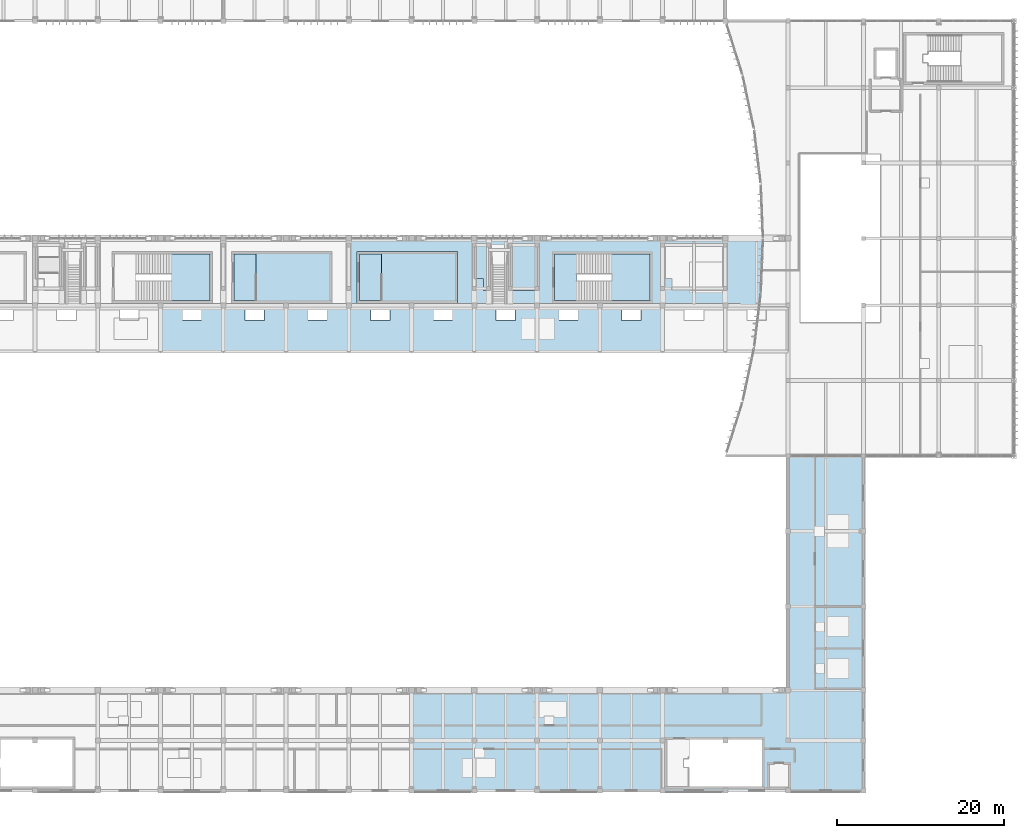
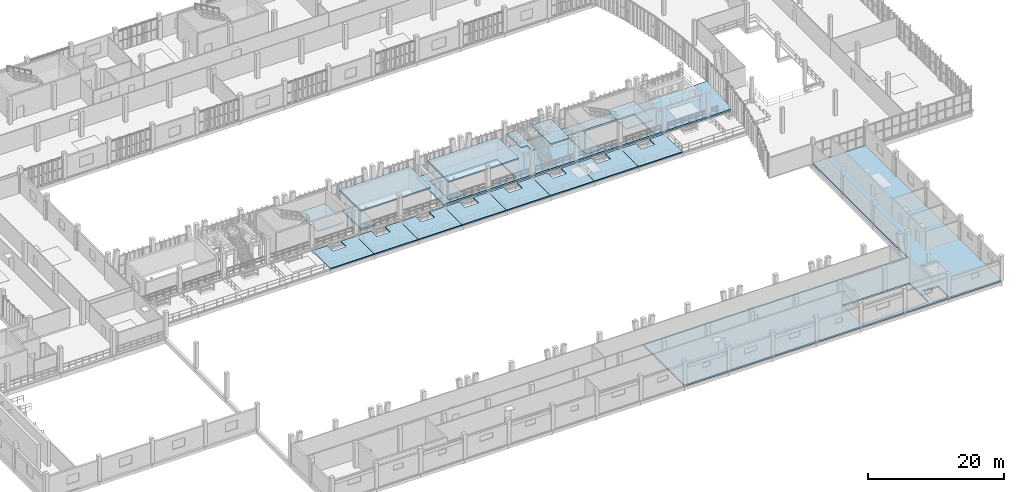
# One storey, part 40 of 81: 19 slabs, 2 elements without a shape of their own.
"""IFC4 building model written with IfcOpenShell, lengths in metres."""

from ifc_helpers import new_model, si_unit, direction, frame, origin, place, context, subcontext, project, spatial, polyline, outline, extrude, material, layer, layer_set, type_object, element, aggregate, save


model = new_model("IFC4")

# Units and contexts
model_context = context("Model", 3, precision=1e-05, world=origin(), true_north=direction((0.0, 1.0)))
body_context = subcontext(model_context, "Body", "Model", "MODEL_VIEW")
ifc_project = project(units=[si_unit("LENGTHUNIT", "METRE"), si_unit("AREAUNIT", "SQUARE_METRE"), si_unit("VOLUMEUNIT", "CUBIC_METRE"), si_unit("PLANEANGLEUNIT", "RADIAN"), si_unit("MASSUNIT", "GRAM", prefix="KILO")], contexts=[model_context])

# Site, building, storey
site_placement = place(None, origin())
site = spatial("IfcSite", under=ifc_project, at=site_placement, CompositionType="ELEMENT")
building_placement = place(site_placement, origin())
building = spatial("IfcBuilding", under=site, at=building_placement, Name="Vourika Railside Aquatics Centre", CompositionType="ELEMENT")
storey_placement = place(building_placement, frame((0.0, 0.0, 4.800048828125)))
storey = spatial("IfcBuildingStorey", under=building, at=storey_placement, Name="L01", CompositionType="ELEMENT", Elevation=4.800048828125)

# Slabs
ifc_material = material(Name="Concrete C35/45", Category="concrete")
ifc_layer_1 = layer(ifc_material, 0.219970703125, Name="SLB-CORE-220")
ifc_layer_set_1 = layer_set([ifc_layer_1], Name="Concrete C35/45")
slab_type_1 = type_object("IfcSlabType", Name="SLB-CORE-220", PredefinedType="FLOOR", material=ifc_layer_set_1)
slab_1_placement = place(storey_placement, frame((0.0, 0.0, -0.219970703125)))
element("IfcSlab", 1, at=slab_1_placement, inside=storey, type_object=slab_type_1, Name="Grandstand Vomitory Exit Stair ST09 L01 Vomitory Arrival Deck", PredefinedType="FLOOR", context=body_context, shape_type="SweptSolid", body=[
    extrude(outline(polyline([(89.800048828125, 58.550048828125), (92.3798828125, 58.550048828125), (92.3798828125, 64.14990234375), (89.800048828125, 64.14990234375), (89.800048828125, 58.550048828125)])), origin(), (0.0, 0.0, 1.0), 0.219970703125),
])
slab_2_placement = place(storey_placement, frame((0.0, 0.0, -0.219970703125)))
element("IfcSlab", 2, at=slab_2_placement, inside=storey, type_object=slab_type_1, Name="Grandstand Vomitory Exit Stair ST10 L01 Vomitory Arrival Deck", PredefinedType="FLOOR", context=body_context, shape_type="SweptSolid", body=[
    extrude(outline(polyline([(113.10009765625, 58.550048828125), (115.679931640625, 58.550048828125), (115.679931640625, 64.14990234375), (113.10009765625, 64.14990234375), (113.10009765625, 58.550048828125)])), origin(), (0.0, 0.0, 1.0), 0.219970703125),
])
slab_3_placement = place(storey_placement, frame((0.0, 0.0, -0.219970703125)))
element("IfcSlab", 3, at=slab_3_placement, inside=storey, type_object=slab_type_1, Name="Grandstand Vomitory Exit Stair ST12 L01 Vomitory Arrival Deck", PredefinedType="FLOOR", context=body_context, shape_type="SweptSolid", body=[
    extrude(outline(polyline([(74.800048828125, 58.550048828125), (77.3798828125, 58.550048828125), (77.3798828125, 64.14990234375), (74.800048828125, 64.14990234375), (74.800048828125, 58.550048828125)])), origin(), (0.0, 0.0, 1.0), 0.219970703125),
])
ifc_layer_2 = layer(ifc_material, 0.280029296875, Name="SLB-FLOOR-280")
ifc_layer_set_2 = layer_set([ifc_layer_2], Name="Concrete C35/45")
slab_type_2 = type_object("IfcSlabType", Name="SLB-FLOOR-280", PredefinedType="FLOOR", material=ifc_layer_set_2)
slab_4_placement = place(storey_placement, frame((0.0, 0.0, -0.280029296875)))
element("IfcSlab", 4, at=slab_4_placement, inside=storey, type_object=slab_type_2, Name="L01 Floor Slab (v4_grp_e)", PredefinedType="FLOOR", context=body_context, shape_type="SweptSolid", body=[
    extrude(outline(polyline([(96.0, 0.0), (96.0, 12.0), (141.0, 12.0), (141.0, 40.0), (150.0, 40.0), (150.0, 12.0), (150.0, 0.0), (96.0, 0.0)]), holes=[polyline([(141.199951171875, 3.300048828125), (138.60009765625, 3.300048828125), (138.60009765625, 0.300048828125), (141.199951171875, 0.300048828125), (141.199951171875, 3.300048828125)]), polyline([(137.89990234375, 6.10009765625), (126.5, 6.10009765625), (126.5, 0.5), (137.89990234375, 0.5), (137.89990234375, 6.10009765625)])]), origin(), (0.0, 0.0, 1.0), 0.280029296875),
])
ifc_layer_3 = layer(ifc_material, 0.300048828125, Name="SLB-FLOOR-300")
ifc_layer_set_3 = layer_set([ifc_layer_3], Name="Concrete C35/45")
slab_type_3 = type_object("IfcSlabType", Name="SLB-FLOOR-300", PredefinedType="FLOOR", material=ifc_layer_set_3)
slab_5_placement = place(storey_placement, frame((0.0, 0.0, -0.300048828125)))
element("IfcSlab", 5, at=slab_5_placement, inside=storey, type_object=slab_type_3, Name="L01 Floor Slab (v1_conc_e)", PredefinedType="FLOOR", context=body_context, shape_type="SweptSolid", body=[
    extrude(outline(polyline([(88.5, 66.0), (137.989990234375, 66.0), (137.925048828125, 62.75048828125), (137.72998046875, 59.500732421875), (137.578125, 58.0), (88.5, 58.0), (88.5, 66.0)]), holes=[polyline([(101.199951171875, 64.14990234375), (89.800048828125, 64.14990234375), (89.800048828125, 58.550048828125), (101.199951171875, 58.550048828125), (101.199951171875, 64.14990234375)]), polyline([(124.5, 64.14990234375), (113.10009765625, 64.14990234375), (113.10009765625, 58.550048828125), (124.5, 58.550048828125), (124.5, 64.14990234375)])]), origin(), (0.0, 0.0, 1.0), 0.300048828125),
])

# Stair, slab
stair_type = type_object("IfcStairType", Name="STR-VOM-L01", PredefinedType="TWO_STRAIGHT_RUN_STAIR", material=ifc_material)
stair_1_placement = place(storey_placement, origin())
stair_1 = element("IfcStair", 6, at=stair_1_placement, inside=storey, type_object=stair_type, Name="Grandstand Vomitory Exit Stair ST08 (L01-L02)", PredefinedType="TWO_STRAIGHT_RUN_STAIR")
ifc_layer_4 = layer(ifc_material, 0.199951171875, Name="SLB-LND-200")
ifc_layer_set_4 = layer_set([ifc_layer_4], Name="Concrete C35/45")
slab_type_4 = type_object("IfcSlabType", Name="SLB-LND-200", PredefinedType="LANDING", material=ifc_layer_set_4)
slab_6_placement = place(storey_placement, frame((0.0, 0.0, 2.050048828125)))
slab_6 = element("IfcSlab", 7, at=slab_6_placement, type_object=slab_type_4, Name="STV-3 landing 1", PredefinedType="LANDING", context=body_context, shape_type="SweptSolid", body=[
    extrude(outline(polyline([(67.320068359375, 58.550048828125), (71.89990234375, 58.550048828125), (71.89990234375, 64.14990234375), (67.320068359375, 64.14990234375), (67.320068359375, 58.550048828125)])), origin(), (0.0, 0.0, 1.0), 0.199951171875),
])
aggregate(stair_1, [slab_6])

stair_2_placement = place(storey_placement, origin())
stair_2 = element("IfcStair", 8, at=stair_2_placement, inside=storey, type_object=stair_type, Name="Grandstand Vomitory Exit Stair ST10 (L01-L02)", PredefinedType="TWO_STRAIGHT_RUN_STAIR")
slab_7_placement = place(storey_placement, frame((0.0, 0.0, 2.050048828125)))
slab_7 = element("IfcSlab", 9, at=slab_7_placement, type_object=slab_type_4, Name="STV-3 landing 1", PredefinedType="LANDING", context=body_context, shape_type="SweptSolid", body=[
    extrude(outline(polyline([(119.919921875, 58.550048828125), (124.5, 58.550048828125), (124.5, 64.14990234375), (119.919921875, 64.14990234375), (119.919921875, 58.550048828125)])), origin(), (0.0, 0.0, 1.0), 0.199951171875),
])
aggregate(stair_2, [slab_7])

# Slabs
ifc_layer_5 = layer(ifc_material, 0.22998046875, Name="SLB-ROOF-EAV230")
ifc_layer_set_5 = layer_set([ifc_layer_5], Name="Concrete C35/45")
slab_type_5 = type_object("IfcSlabType", Name="SLB-ROOF-EAV230", PredefinedType="ROOF", material=ifc_layer_set_5)
slab_8_placement = place(storey_placement, frame((0.0, 0.0, 3.39990234375)))
element("IfcSlab", 10, at=slab_8_placement, inside=storey, type_object=slab_type_5, Name="Grandstand Vomitory Exit Stair ST09 Shaft Roof Slab", PredefinedType="ROOF", context=body_context, shape_type="SweptSolid", body=[
    extrude(outline(polyline([(89.5, 58.25), (101.5, 58.25), (101.5, 64.449951171875), (89.5, 64.449951171875), (89.5, 58.25)])), origin(), (0.0, 0.0, 1.0), 0.22998046875),
])
slab_9_placement = place(storey_placement, frame((0.0, 0.0, 3.39990234375)))
element("IfcSlab", 11, at=slab_9_placement, inside=storey, type_object=slab_type_5, Name="Grandstand Vomitory Exit Stair ST12 Shaft Roof Slab", PredefinedType="ROOF", context=body_context, shape_type="SweptSolid", body=[
    extrude(outline(polyline([(74.5, 58.25), (86.5, 58.25), (86.5, 64.449951171875), (74.5, 64.449951171875), (74.5, 58.25)])), origin(), (0.0, 0.0, 1.0), 0.22998046875),
])
ifc_layer_6 = layer(ifc_material, 0.18994140625, Name="SLB-TIER-190")
ifc_layer_set_6 = layer_set([ifc_layer_6], Name="Concrete C35/45")
slab_type_6 = type_object("IfcSlabType", Name="SLB-TIER-190", PredefinedType="USERDEFINED", material=ifc_layer_set_6)
slab_10_placement = place(storey_placement, frame((0.0, 0.0, -0.5400390625)))
element("IfcSlab", 12, at=slab_10_placement, inside=storey, type_object=slab_type_6, Name="Stand Lower Tier Bay 05", ObjectType="SEATING TIER", PredefinedType="USERDEFINED", context=body_context, shape_type="SweptSolid", body=[
    extrude(outline(polyline([(73.5, 57.800048828125), (73.5, 52.5), (66.0, 52.5), (66.0, 57.800048828125), (68.60009765625, 57.800048828125), (68.60009765625, 56.199951171875), (70.89990234375, 56.199951171875), (70.89990234375, 57.800048828125), (73.5, 57.800048828125)])), origin(), (0.0, 0.0, 1.0), 0.18994140625),
])
slab_11_placement = place(storey_placement, frame((0.0, 0.0, -0.5400390625)))
element("IfcSlab", 13, at=slab_11_placement, inside=storey, type_object=slab_type_6, Name="Stand Lower Tier Bay 06", ObjectType="SEATING TIER", PredefinedType="USERDEFINED", context=body_context, shape_type="SweptSolid", body=[
    extrude(outline(polyline([(81.0, 57.800048828125), (81.0, 52.5), (73.5, 52.5), (73.5, 57.800048828125), (76.10009765625, 57.800048828125), (76.10009765625, 56.199951171875), (78.39990234375, 56.199951171875), (78.39990234375, 57.800048828125), (81.0, 57.800048828125)])), origin(), (0.0, 0.0, 1.0), 0.18994140625),
])
slab_12_placement = place(storey_placement, frame((0.0, 0.0, -0.5400390625)))
element("IfcSlab", 14, at=slab_12_placement, inside=storey, type_object=slab_type_6, Name="Stand Lower Tier Bay 07", ObjectType="SEATING TIER", PredefinedType="USERDEFINED", context=body_context, shape_type="SweptSolid", body=[
    extrude(outline(polyline([(88.5, 57.800048828125), (88.5, 52.5), (81.0, 52.5), (81.0, 57.800048828125), (83.60009765625, 57.800048828125), (83.60009765625, 56.199951171875), (85.89990234375, 56.199951171875), (85.89990234375, 57.800048828125), (88.5, 57.800048828125)])), origin(), (0.0, 0.0, 1.0), 0.18994140625),
])
slab_13_placement = place(storey_placement, frame((0.0, 0.0, -0.5400390625)))
element("IfcSlab", 15, at=slab_13_placement, inside=storey, type_object=slab_type_6, Name="Stand Lower Tier Bay 08", ObjectType="SEATING TIER", PredefinedType="USERDEFINED", context=body_context, shape_type="SweptSolid", body=[
    extrude(outline(polyline([(96.0, 57.800048828125), (96.0, 52.5), (88.5, 52.5), (88.5, 57.800048828125), (91.10009765625, 57.800048828125), (91.10009765625, 56.199951171875), (93.39990234375, 56.199951171875), (93.39990234375, 57.800048828125), (96.0, 57.800048828125)])), origin(), (0.0, 0.0, 1.0), 0.18994140625),
])
slab_14_placement = place(storey_placement, frame((0.0, 0.0, -0.5400390625)))
element("IfcSlab", 16, at=slab_14_placement, inside=storey, type_object=slab_type_6, Name="Stand Lower Tier Bay 09", ObjectType="SEATING TIER", PredefinedType="USERDEFINED", context=body_context, shape_type="SweptSolid", body=[
    extrude(outline(polyline([(103.5, 57.800048828125), (103.5, 52.5), (96.0, 52.5), (96.0, 57.800048828125), (98.60009765625, 57.800048828125), (98.60009765625, 56.199951171875), (100.89990234375, 56.199951171875), (100.89990234375, 57.800048828125), (103.5, 57.800048828125)])), origin(), (0.0, 0.0, 1.0), 0.18994140625),
])
slab_15_placement = place(storey_placement, frame((0.0, 0.0, -0.5400390625)))
element("IfcSlab", 17, at=slab_15_placement, inside=storey, type_object=slab_type_6, Name="Stand Lower Tier Bay 10", ObjectType="SEATING TIER", PredefinedType="USERDEFINED", context=body_context, shape_type="SweptSolid", body=[
    extrude(outline(polyline([(111.0, 57.800048828125), (111.0, 52.5), (103.5, 52.5), (103.5, 57.800048828125), (106.10009765625, 57.800048828125), (106.10009765625, 56.199951171875), (108.39990234375, 56.199951171875), (108.39990234375, 57.800048828125), (111.0, 57.800048828125)])), origin(), (0.0, 0.0, 1.0), 0.18994140625),
])
slab_16_placement = place(storey_placement, frame((0.0, 0.0, -0.5400390625)))
element("IfcSlab", 18, at=slab_16_placement, inside=storey, type_object=slab_type_6, Name="Stand Lower Tier Bay 11", ObjectType="SEATING TIER", PredefinedType="USERDEFINED", context=body_context, shape_type="SweptSolid", body=[
    extrude(outline(polyline([(118.5, 57.800048828125), (118.5, 52.5), (111.0, 52.5), (111.0, 57.800048828125), (113.60009765625, 57.800048828125), (113.60009765625, 56.199951171875), (115.89990234375, 56.199951171875), (115.89990234375, 57.800048828125), (118.5, 57.800048828125)])), origin(), (0.0, 0.0, 1.0), 0.18994140625),
])
slab_17_placement = place(storey_placement, frame((0.0, 0.0, -0.5400390625)))
element("IfcSlab", 19, at=slab_17_placement, inside=storey, type_object=slab_type_6, Name="Stand Lower Tier Bay 12", ObjectType="SEATING TIER", PredefinedType="USERDEFINED", context=body_context, shape_type="SweptSolid", body=[
    extrude(outline(polyline([(126.0, 57.800048828125), (126.0, 52.5), (118.5, 52.5), (118.5, 57.800048828125), (121.10009765625, 57.800048828125), (121.10009765625, 56.199951171875), (123.39990234375, 56.199951171875), (123.39990234375, 57.800048828125), (126.0, 57.800048828125)])), origin(), (0.0, 0.0, 1.0), 0.18994140625),
])
ifc_layer_7 = layer(ifc_material, 0.215087890625, Name="SLB-TIER-215")
ifc_layer_set_7 = layer_set([ifc_layer_7], Name="Concrete C35/45")
slab_type_7 = type_object("IfcSlabType", Name="SLB-TIER-215", PredefinedType="USERDEFINED", material=ifc_layer_set_7)
slab_18_placement = place(storey_placement, frame((0.0, 0.0, 2.804931640625)))
element("IfcSlab", 20, at=slab_18_placement, inside=storey, type_object=slab_type_7, Name="Stand Upper Tier Bay 10-1", ObjectType="SEATING TIER", PredefinedType="USERDEFINED", context=body_context, shape_type="SweptSolid", body=[
    extrude(outline(polyline([(111.0, 59.800048828125), (107.800048828125, 59.800048828125), (107.800048828125, 65.39990234375), (111.0, 65.39990234375), (111.0, 59.800048828125)])), origin(), (0.0, 0.0, 1.0), 0.215087890625),
])
slab_19_placement = place(storey_placement, frame((0.0, 0.0, 2.804931640625)))
element("IfcSlab", 21, at=slab_19_placement, inside=storey, type_object=slab_type_7, Name="Stand Upper Tier Bay 10-2", ObjectType="SEATING TIER", PredefinedType="USERDEFINED", context=body_context, shape_type="SweptSolid", body=[
    extrude(outline(polyline([(104.60009765625, 59.800048828125), (104.60009765625, 61.199951171875), (103.5, 61.199951171875), (103.5, 65.39990234375), (105.199951171875, 65.39990234375), (105.199951171875, 59.800048828125), (104.60009765625, 59.800048828125)])), origin(), (0.0, 0.0, 1.0), 0.215087890625),
])

save(model, "model.ifc")
